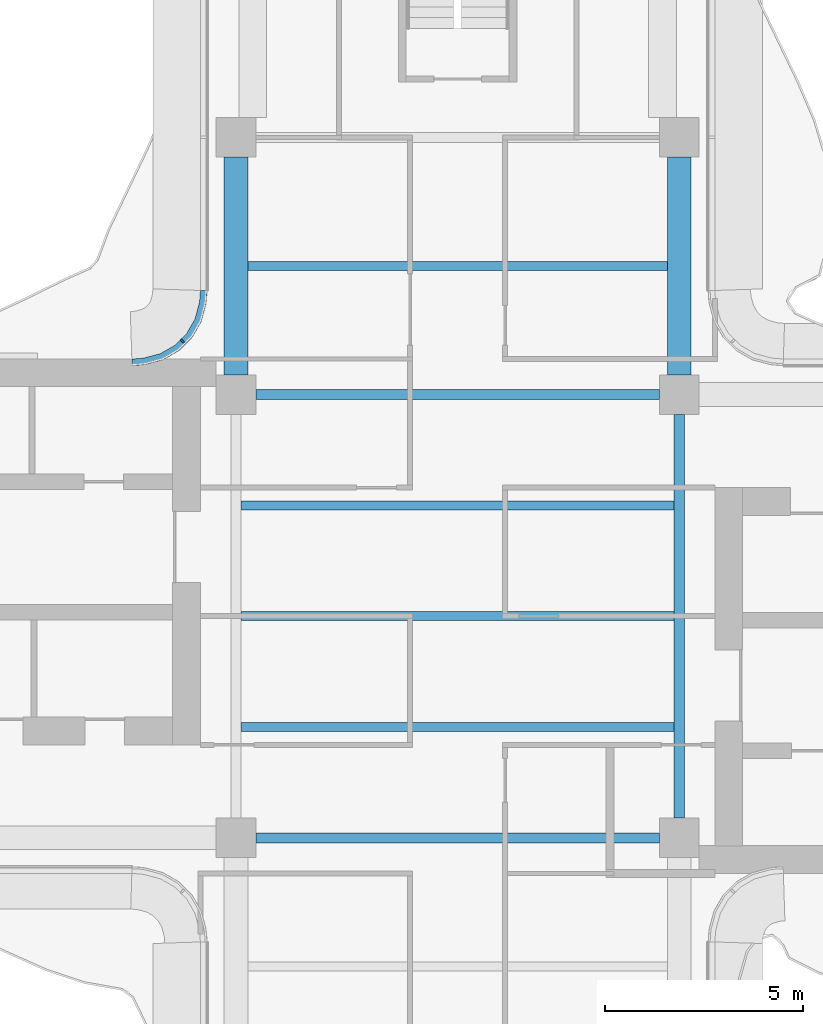
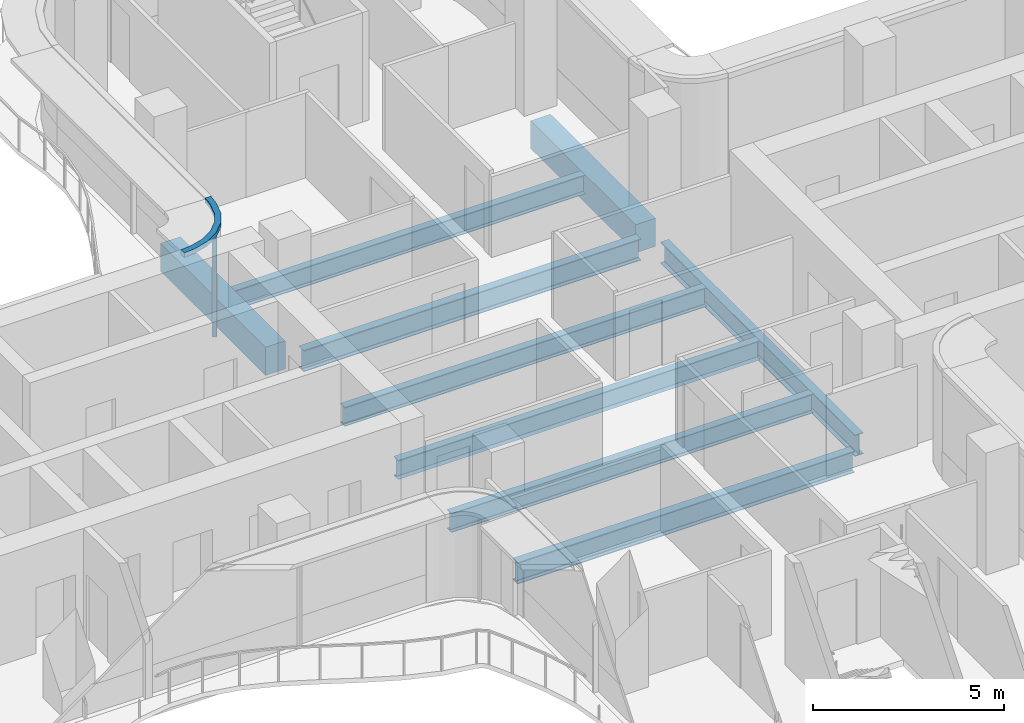
# One storey, part 4 of 15: 9 beams, 2 members, 1 element without a shape of its own.
"""IFC4 building model written with IfcOpenShell, lengths in metres."""

from ifc_helpers import new_model, si_unit, direction, frame, origin, origin_2d, place, context, subcontext, project, spatial, polyline, rectangle, i_section, outline, extrude, source, transform, mapped, material, layer, layer_set, material_profile, profile_set, type_object, element, aggregate, save


model = new_model("IFC4")

# Units and contexts
model_context = context("Model", 3, precision=1e-05, world=origin(), true_north=direction((0.0, 1.0)))
body_context = subcontext(model_context, "Body", "Model", "MODEL_VIEW")
ifc_project = project(units=[si_unit("LENGTHUNIT", "METRE"), si_unit("AREAUNIT", "SQUARE_METRE"), si_unit("VOLUMEUNIT", "CUBIC_METRE"), si_unit("PLANEANGLEUNIT", "RADIAN"), si_unit("MASSUNIT", "GRAM", prefix="KILO")], contexts=[model_context])

# Site, building, storey
site_placement = place(None, origin())
site = spatial("IfcSite", under=ifc_project, at=site_placement, CompositionType="ELEMENT")
building_placement = place(site_placement, origin())
building = spatial("IfcBuilding", under=site, at=building_placement, Name="Trellis Farm Tower", CompositionType="ELEMENT")
storey_placement = place(building_placement, frame((0.0, 0.0, 326.199951171875)))
storey = spatial("IfcBuildingStorey", under=building, at=storey_placement, Name="L74", CompositionType="ELEMENT", Elevation=326.199951171875)

# Beams
ifc_material_1 = material(Name="Steel S355", Category="steel")
ifc_material_profile_1 = material_profile(ifc_material_1, i_section(OverallWidth=0.22900390625, OverallDepth=0.6123046875, WebThickness=0.011962890625, FlangeThickness=0.01953125, FilletRadius=0.0126953125, at=origin_2d()), Name="UB 610x229x125")
ifc_profile_set_1 = profile_set([ifc_material_profile_1], Name="Steel S355")
beam_type_1 = type_object("IfcBeamType", Name="UB 610x229x125 joist", PredefinedType="JOIST", material=ifc_profile_set_1)
shared_shape_1 = source(origin(), body_context, "Body", "SweptSolid", [
    extrude(i_section(OverallWidth=0.22900390625, OverallDepth=0.6123046875, WebThickness=0.011962890625, FlangeThickness=0.01953125, FilletRadius=0.0126953125, at=origin_2d()), origin(), (0.0, 0.0, 1.0), 10.9462890625),
])
for number, where, z_axis, x_axis, name in (
    (1, (-5.47314453125, -2.800048828125, -0.506103515625), (1.0, 0.0, 0.0), (0.0, 1.0, 0.0), "Floor beam"),
    (2, (-5.47314453125, 0.0, -0.506103515625), (1.0, 0.0, 0.0), (0.0, 1.0, 0.0), "Floor beam"),
    (3, (-5.47314453125, 2.800048828125, -0.506103515625), (1.0, 0.0, 0.0), (0.0, 1.0, 0.0), "Floor beam"),
):
    element("IfcBeam", number, at=place(storey_placement, frame(where, z_axis=z_axis, x_axis=x_axis)), inside=storey, type_object=beam_type_1, Name=name, PredefinedType="JOIST", context=body_context, shape_type="MappedRepresentation", body=[
        mapped(shared_shape_1, transform((0.0, 0.0, 0.0))),
    ])
shared_shape_2 = source(origin(), body_context, "Body", "SweptSolid", [
    extrude(i_section(OverallWidth=0.22900390625, OverallDepth=0.6123046875, WebThickness=0.011962890625, FlangeThickness=0.01953125, FilletRadius=0.0126953125, at=origin_2d()), origin(), (0.0, 0.0, 1.0), 10.60009765625),
])
beam_placement = place(storey_placement, frame((-5.300048828125, 8.85009765625, -0.506103515625), z_axis=(1.0, 0.0, 0.0), x_axis=(0.0, 1.0, 0.0)))
element("IfcBeam", 4, at=beam_placement, inside=storey, type_object=beam_type_1, Name="Floor beam", PredefinedType="JOIST", context=body_context, shape_type="MappedRepresentation", body=[
    mapped(shared_shape_2, transform((0.0, 0.0, 0.0))),
])
ifc_material_profile_2 = material_profile(ifc_material_1, i_section(OverallWidth=0.253662109375, OverallDepth=0.68359375, WebThickness=0.012451171875, FlangeThickness=0.021728515625, FilletRadius=0.01513671875, at=origin_2d()), Name="UB 686x254x140")
ifc_profile_set_2 = profile_set([ifc_material_profile_2], Name="Steel S355")
beam_type_2 = type_object("IfcBeamType", Name="UB 686x254x140", PredefinedType="BEAM", material=ifc_profile_set_2)
shared_shape_3 = source(origin(), body_context, "Body", "SweptSolid", [
    extrude(i_section(OverallWidth=0.253662109375, OverallDepth=0.68359375, WebThickness=0.012451171875, FlangeThickness=0.021728515625, FilletRadius=0.01513671875, at=origin_2d()), origin(), (0.0, 0.0, 1.0), 10.2001953125),
])
for number, where, z_axis, x_axis, name in (
    (5, (-5.10009765625, -5.60009765625, -0.541748046875), (1.0, 0.0, 0.0), (0.0, 1.0, 0.0), "Girder"),
    (6, (-5.10009765625, 5.60009765625, -0.541748046875), (1.0, 0.0, 0.0), (0.0, 1.0, 0.0), "Girder"),
    (7, (5.60009765625, -5.10009765625, -0.541748046875), (0.0, 1.0, 0.0), (-1.0, 0.0, 0.0), "Girder"),
):
    element("IfcBeam", number, at=place(storey_placement, frame(where, z_axis=z_axis, x_axis=x_axis)), inside=storey, type_object=beam_type_2, Name=name, PredefinedType="BEAM", context=body_context, shape_type="MappedRepresentation", body=[
        mapped(shared_shape_3, transform((0.0, 0.0, 0.0))),
    ])
ifc_material_2 = material(Name="Concrete C60/75", Category="concrete")
ifc_material_profile_3 = material_profile(ifc_material_2, rectangle(XDim=0.60009765625, YDim=0.89990234375, at=origin_2d()), Name="RC spandrel beam 600x900 C60/75")
ifc_profile_set_3 = profile_set([ifc_material_profile_3], Name="Concrete C60/75")
beam_type_3 = type_object("IfcBeamType", Name="RC spandrel beam 600x900 C60/75", PredefinedType="SPANDREL", material=ifc_profile_set_3)
shared_shape_4 = source(origin(), body_context, "Body", "SweptSolid", [
    extrude(rectangle(XDim=0.60009765625, YDim=0.89990234375, at=origin_2d()), origin(), (0.0, 0.0, 1.0), 5.5),
])
for number, where, z_axis, x_axis, name in (
    (8, (-5.60009765625, 6.10009765625, -0.64990234375), (0.0, 1.0, 0.0), (-1.0, 0.0, 0.0), "Girder"),
    (9, (5.60009765625, 6.10009765625, -0.64990234375), (0.0, 1.0, 0.0), (-1.0, 0.0, 0.0), "Girder"),
):
    element("IfcBeam", number, at=place(storey_placement, frame(where, z_axis=z_axis, x_axis=x_axis)), inside=storey, type_object=beam_type_3, Name=name, PredefinedType="SPANDREL", context=body_context, shape_type="MappedRepresentation", body=[
        mapped(shared_shape_4, transform((0.0, 0.0, 0.0))),
    ])

# Curtain wall, members
ifc_material_3 = material(Name="Aluminium and glass curtain wall", Category="aluminium")
ifc_layer_1 = layer(ifc_material_3, 0.166015625)
ifc_layer_set_1 = layer_set([ifc_layer_1], Name="WINTER GARDEN CURTAIN WALL CW3")
curtain_wall_type = type_object("IfcCurtainWallType", Name="WINTER GARDEN CURTAIN WALL CW3", PredefinedType="NOTDEFINED", material=ifc_layer_set_1)
curtain_wall_placement = place(storey_placement, origin())
curtain_wall = element("IfcCurtainWall", 10, at=curtain_wall_placement, inside=storey, type_object=curtain_wall_type, Name="CW3 004", PredefinedType="NOTDEFINED")
ifc_material_4 = material(Name="Aluminium extrusion 6063-T6", Category="aluminium")
ifc_layer_2 = layer(ifc_material_4, 0.169921875)
ifc_layer_set_2 = layer_set([ifc_layer_2], Name="Aluminium extrusion 6063-T6")
member_type_1 = type_object("IfcMemberType", Name="CW3 TRANSOM 170x150", PredefinedType="USERDEFINED", material=ifc_layer_set_2)
shared_shape_5 = source(origin(), body_context, "Body", "SweptSolid", [
    extrude(outline(polyline([(-6.5, 8.2314453125), (-6.513916015625, 8.01953125), (-6.527587890625, 7.91552734375), (-6.63671875, 7.508544921875), (-6.846923828125, 7.144287109375), (-7.144287109375, 6.846923828125), (-7.508544921875, 6.63671875), (-7.91552734375, 6.527587890625), (-8.01953125, 6.513916015625), (-8.2314453125, 6.5), (-8.225830078125, 6.330078125), (-8.0029296875, 6.3447265625), (-7.88232421875, 6.360595703125), (-7.44287109375, 6.478271484375), (-7.0400390625, 6.7109375), (-6.7109375, 7.0400390625), (-6.478271484375, 7.44287109375), (-6.360595703125, 7.88232421875), (-6.3447265625, 8.0029296875), (-6.330078125, 8.225830078125), (-6.5, 8.2314453125)])), origin(), (0.0, 0.0, 1.0), 0.14990234375),
])
member_1_placement = place(storey_placement, frame((0.0, 0.0, 3.35009765625)))
member_1 = element("IfcMember", 11, at=member_1_placement, type_object=member_type_1, Name="TR3 004", ObjectType="TRANSOM", PredefinedType="USERDEFINED", context=body_context, shape_type="MappedRepresentation", body=[
    mapped(shared_shape_5, transform((0.0, 0.0, 0.0))),
])
ifc_material_profile_4 = material_profile(ifc_material_4, rectangle(XDim=0.050048828125, YDim=0.1201171875, at=origin_2d()), Name="MULLION 50x120")
ifc_profile_set_4 = profile_set([ifc_material_profile_4], Name="Aluminium extrusion 6063-T6")
member_type_2 = type_object("IfcMemberType", Name="CW3 MULLION 50x120", PredefinedType="MULLION", material=ifc_profile_set_4)
shared_shape_6 = source(origin(), body_context, "Body", "SweptSolid", [
    extrude(rectangle(XDim=0.050048828125, YDim=0.1201171875, at=origin_2d()), origin(), (0.0, 0.0, 1.0), 3.35009765625),
])
member_2_placement = place(storey_placement, frame((-6.953125, 6.953125, 0.0), z_axis=(0.0, 0.0, 1.0), x_axis=(-0.707106781187, -0.707106781187, 0.0)))
member_2 = element("IfcMember", 12, at=member_2_placement, type_object=member_type_2, Name="MU3 004-01", PredefinedType="MULLION", context=body_context, shape_type="MappedRepresentation", body=[
    mapped(shared_shape_6, transform((0.0, 0.0, 0.0))),
])
aggregate(curtain_wall, [member_2, member_1])

save(model, "model.ifc")
